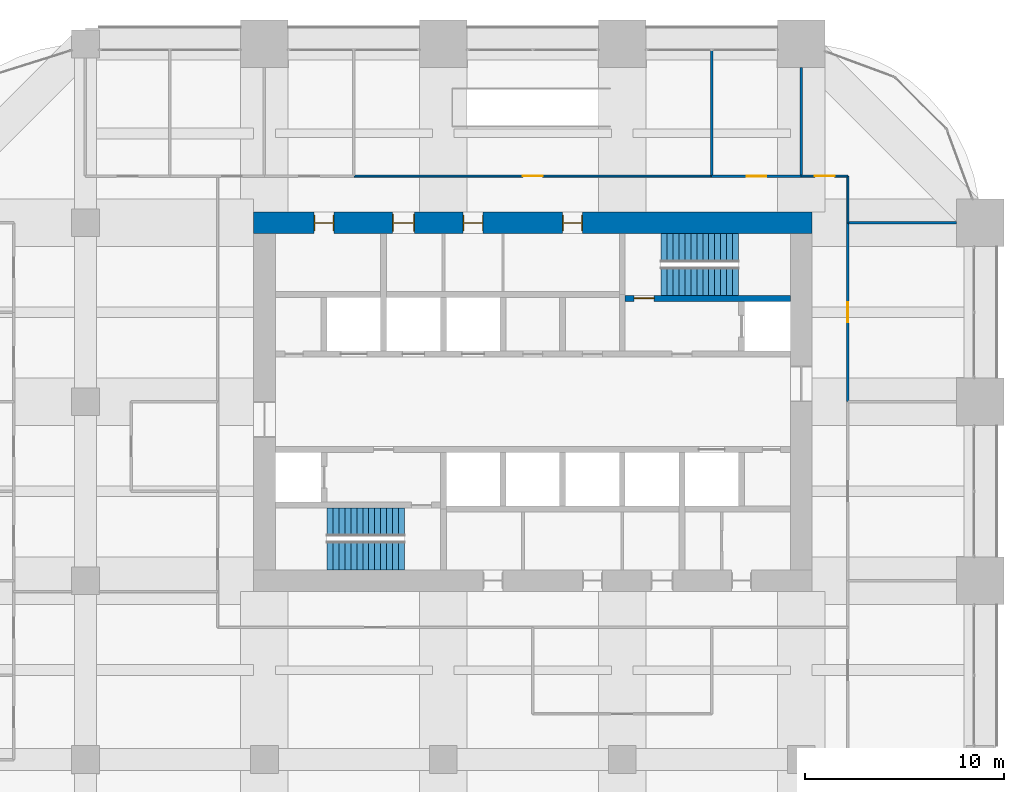
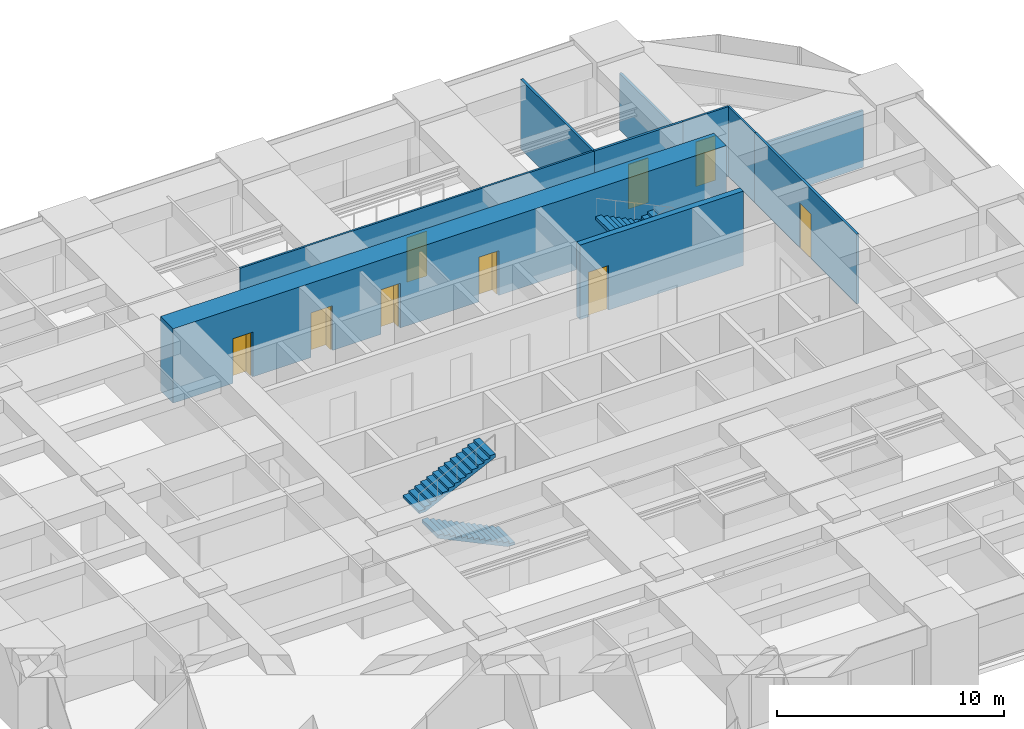
# One storey, part 33 of 35: 10 walls, 9 doors, 4 stair flights, 9 openings, 2 elements without a shape of their own.
"""IFC4 building model written with IfcOpenShell, lengths in metres."""

from ifc_helpers import new_model, si_unit, direction, frame, frame_2d, origin, place, context, subcontext, project, spatial, polyline, rectangle, outline, extrude, material, layer, layer_set, type_object, element, fill, aggregate, save


model = new_model("IFC4")

# Units and contexts
model_context = context("Model", 3, precision=1e-05, world=origin(), true_north=direction((0.0, 1.0)))
body_context = subcontext(model_context, "Body", "Model", "MODEL_VIEW")
ifc_project = project(units=[si_unit("LENGTHUNIT", "METRE"), si_unit("AREAUNIT", "SQUARE_METRE"), si_unit("VOLUMEUNIT", "CUBIC_METRE"), si_unit("PLANEANGLEUNIT", "RADIAN"), si_unit("MASSUNIT", "GRAM", prefix="KILO")], contexts=[model_context])

# Site, building, storey
site_placement = place(None, origin())
site = spatial("IfcSite", under=ifc_project, at=site_placement, CompositionType="ELEMENT")
building_placement = place(site_placement, origin())
building = spatial("IfcBuilding", under=site, at=building_placement, Name="Zorevar Civic Tower", CompositionType="ELEMENT")
storey_placement = place(building_placement, frame((0.0, 0.0, 218.199951171875)))
storey = spatial("IfcBuildingStorey", under=building, at=storey_placement, Name="L53", CompositionType="ELEMENT", Elevation=218.199951171875)

# Wall, openings, doors
ifc_material_1 = material(Name="Concrete C50/60", Category="concrete")
ifc_layer_1 = layer(ifc_material_1, 1.10009765625)
ifc_layer_set_1 = layer_set([ifc_layer_1], Name="Core wall 1100")
wall_type_1 = type_object("IfcWallType", Name="Core wall 1100", PredefinedType="SHEAR", material=ifc_layer_set_1)
wall_1_placement = place(storey_placement, frame((45.550048828125, 36.0, 0.0), z_axis=(0.0, 0.0, 1.0), x_axis=(-1.0, 0.0, 0.0)))
wall_1 = element("IfcWall", 1, at=wall_1_placement, inside=storey, type_object=wall_type_1, Name="Core wall N L53", PredefinedType="SHEAR", context=body_context, shape_type="SweptSolid", body=[
    extrude(rectangle(XDim=28.10009765625, YDim=1.10009765625, at=frame_2d((14.050048828125, 0.0))), origin(), (0.0, 0.0, 1.0), 4.0),
])
opening_1_placement = place(wall_1_placement, frame((11.550048828125, 0.0, 0.0)))
opening_1 = element("IfcOpeningElement", 2, at=opening_1_placement, cuts=wall_1, Name="Opening L53.07", PredefinedType="OPENING", context=body_context, shape_type="SweptSolid", body=[
    extrude(rectangle(XDim=1.0, YDim=2.39990234375, at=frame_2d((0.5, 1.199951171875))), frame((0.0, 0.56005859375, 0.0), z_axis=(0.0, -1.0, 0.0), x_axis=(1.0, 0.0, 0.0)), (0.0, 0.0, 1.0), 1.1201171875),
])
opening_2_placement = place(wall_1_placement, frame((16.550048828125, 0.0, 0.0)))
opening_2 = element("IfcOpeningElement", 3, at=opening_2_placement, cuts=wall_1, Name="Opening L53.08", PredefinedType="OPENING", context=body_context, shape_type="SweptSolid", body=[
    extrude(rectangle(XDim=1.0, YDim=2.39990234375, at=frame_2d((0.5, 1.199951171875))), frame((0.0, 0.56005859375, 0.0), z_axis=(0.0, -1.0, 0.0), x_axis=(1.0, 0.0, 0.0)), (0.0, 0.0, 1.0), 1.1201171875),
])
opening_3_placement = place(wall_1_placement, frame((20.0, 0.0, 0.0)))
opening_3 = element("IfcOpeningElement", 4, at=opening_3_placement, cuts=wall_1, Name="Opening L53.09", PredefinedType="OPENING", context=body_context, shape_type="SweptSolid", body=[
    extrude(rectangle(XDim=1.10009765625, YDim=2.39990234375, at=frame_2d((0.550048828125, 1.199951171875))), frame((0.0, 0.56005859375, 0.0), z_axis=(0.0, -1.0, 0.0), x_axis=(1.0, 0.0, 0.0)), (0.0, 0.0, 1.0), 1.1201171875),
])
opening_4_placement = place(wall_1_placement, frame((24.050048828125, 0.0, 0.0)))
opening_4 = element("IfcOpeningElement", 5, at=opening_4_placement, cuts=wall_1, Name="Opening L53.10", PredefinedType="OPENING", context=body_context, shape_type="SweptSolid", body=[
    extrude(rectangle(XDim=1.0, YDim=2.39990234375, at=frame_2d((0.5, 1.199951171875))), frame((0.0, 0.56005859375, 0.0), z_axis=(0.0, -1.0, 0.0), x_axis=(1.0, 0.0, 0.0)), (0.0, 0.0, 1.0), 1.1201171875),
])
ifc_material_2 = material(Name="Timber door set", Category="wood")
door_type_1 = type_object("IfcDoorType", Name="Door D1 1000x2400", OperationType="SINGLE_SWING_LEFT", PredefinedType="DOOR", material=ifc_material_2)
door_1_placement = place(opening_1_placement, origin())
door_1 = element("IfcDoor", 6, at=door_1_placement, inside=storey, type_object=door_type_1, Name="Door L53 06", OperationType="SINGLE_SWING_RIGHT", OverallHeight=2.39990234375, OverallWidth=1.0, PredefinedType="DOOR", context=body_context, shape_type="SweptSolid", body=[
    extrude(rectangle(XDim=1.0, YDim=2.39990234375, at=frame_2d((0.5, 1.199951171875))), frame((0.0, 0.02490234375, 0.0), z_axis=(0.0, -1.0, 0.0), x_axis=(1.0, 0.0, 0.0)), (0.0, 0.0, 1.0), 0.050048828125),
    extrude(rectangle(XDim=0.04, YDim=2.39990234375, at=frame_2d((0.02001953125, 1.199951171875))), frame((0.0, 0.39990234375, 0.0), z_axis=(0.0, -1.0, 0.0), x_axis=(1.0, 0.0, 0.0)), (0.0, 0.0, 1.0), 0.800048828125),
    extrude(rectangle(XDim=0.04, YDim=2.39990234375, at=frame_2d((0.97998046875, 1.199951171875))), frame((0.0, 0.39990234375, 0.0), z_axis=(0.0, -1.0, 0.0), x_axis=(1.0, 0.0, 0.0)), (0.0, 0.0, 1.0), 0.800048828125),
    extrude(rectangle(XDim=1.0, YDim=0.04, at=frame_2d((0.5, 2.3798828125))), frame((0.0, 0.39990234375, 0.0), z_axis=(0.0, -1.0, 0.0), x_axis=(1.0, 0.0, 0.0)), (0.0, 0.0, 1.0), 0.800048828125),
])
fill(opening_1, door_1)
door_2_placement = place(opening_2_placement, origin())
door_2 = element("IfcDoor", 7, at=door_2_placement, inside=storey, type_object=door_type_1, Name="Door L53 07", OperationType="SINGLE_SWING_LEFT", OverallHeight=2.39990234375, OverallWidth=1.0, PredefinedType="DOOR", context=body_context, shape_type="SweptSolid", body=[
    extrude(rectangle(XDim=1.0, YDim=2.39990234375, at=frame_2d((0.5, 1.199951171875))), frame((0.0, 0.02490234375, 0.0), z_axis=(0.0, -1.0, 0.0), x_axis=(1.0, 0.0, 0.0)), (0.0, 0.0, 1.0), 0.050048828125),
    extrude(rectangle(XDim=0.04, YDim=2.39990234375, at=frame_2d((0.02001953125, 1.199951171875))), frame((0.0, 0.39990234375, 0.0), z_axis=(0.0, -1.0, 0.0), x_axis=(1.0, 0.0, 0.0)), (0.0, 0.0, 1.0), 0.800048828125),
    extrude(rectangle(XDim=0.04, YDim=2.39990234375, at=frame_2d((0.97998046875, 1.199951171875))), frame((0.0, 0.39990234375, 0.0), z_axis=(0.0, -1.0, 0.0), x_axis=(1.0, 0.0, 0.0)), (0.0, 0.0, 1.0), 0.800048828125),
    extrude(rectangle(XDim=1.0, YDim=0.04, at=frame_2d((0.5, 2.3798828125))), frame((0.0, 0.39990234375, 0.0), z_axis=(0.0, -1.0, 0.0), x_axis=(1.0, 0.0, 0.0)), (0.0, 0.0, 1.0), 0.800048828125),
])
fill(opening_2, door_2)
door_3_placement = place(opening_4_placement, origin())
door_3 = element("IfcDoor", 8, at=door_3_placement, inside=storey, type_object=door_type_1, Name="Door L53 09", OperationType="SINGLE_SWING_LEFT", OverallHeight=2.39990234375, OverallWidth=1.0, PredefinedType="DOOR", context=body_context, shape_type="SweptSolid", body=[
    extrude(rectangle(XDim=1.0, YDim=2.39990234375, at=frame_2d((0.5, 1.199951171875))), frame((0.0, 0.02490234375, 0.0), z_axis=(0.0, -1.0, 0.0), x_axis=(1.0, 0.0, 0.0)), (0.0, 0.0, 1.0), 0.050048828125),
    extrude(rectangle(XDim=0.04, YDim=2.39990234375, at=frame_2d((0.02001953125, 1.199951171875))), frame((0.0, 0.39990234375, 0.0), z_axis=(0.0, -1.0, 0.0), x_axis=(1.0, 0.0, 0.0)), (0.0, 0.0, 1.0), 0.800048828125),
    extrude(rectangle(XDim=0.04, YDim=2.39990234375, at=frame_2d((0.97998046875, 1.199951171875))), frame((0.0, 0.39990234375, 0.0), z_axis=(0.0, -1.0, 0.0), x_axis=(1.0, 0.0, 0.0)), (0.0, 0.0, 1.0), 0.800048828125),
    extrude(rectangle(XDim=1.0, YDim=0.04, at=frame_2d((0.5, 2.3798828125))), frame((0.0, 0.39990234375, 0.0), z_axis=(0.0, -1.0, 0.0), x_axis=(1.0, 0.0, 0.0)), (0.0, 0.0, 1.0), 0.800048828125),
])
fill(opening_4, door_3)
ifc_material_3 = material(Name="Timber door set", Category="wood")
door_type_2 = type_object("IfcDoorType", Name="Door D5 1100x2400", OperationType="SINGLE_SWING_LEFT", PredefinedType="DOOR", material=ifc_material_3)
door_4_placement = place(opening_3_placement, origin())
door_4 = element("IfcDoor", 9, at=door_4_placement, inside=storey, type_object=door_type_2, Name="Door L53 08", OperationType="SINGLE_SWING_LEFT", OverallHeight=2.39990234375, OverallWidth=1.10009765625, PredefinedType="DOOR", context=body_context, shape_type="SweptSolid", body=[
    extrude(rectangle(XDim=1.10009765625, YDim=2.39990234375, at=frame_2d((0.550048828125, 1.199951171875))), frame((0.0, 0.02490234375, 0.0), z_axis=(0.0, -1.0, 0.0), x_axis=(1.0, 0.0, 0.0)), (0.0, 0.0, 1.0), 0.050048828125),
    extrude(rectangle(XDim=0.04, YDim=2.39990234375, at=frame_2d((0.02001953125, 1.199951171875))), frame((0.0, 0.43994140625, 0.0), z_axis=(0.0, -1.0, 0.0), x_axis=(1.0, 0.0, 0.0)), (0.0, 0.0, 1.0), 0.880126953125),
    extrude(rectangle(XDim=0.04, YDim=2.39990234375, at=frame_2d((1.080078125, 1.199951171875))), frame((0.0, 0.43994140625, 0.0), z_axis=(0.0, -1.0, 0.0), x_axis=(1.0, 0.0, 0.0)), (0.0, 0.0, 1.0), 0.880126953125),
    extrude(rectangle(XDim=1.10009765625, YDim=0.04, at=frame_2d((0.550048828125, 2.3798828125))), frame((0.0, 0.43994140625, 0.0), z_axis=(0.0, -1.0, 0.0), x_axis=(1.0, 0.0, 0.0)), (0.0, 0.0, 1.0), 0.880126953125),
])
fill(opening_3, door_4)

# Wall, opening, door
ifc_material_4 = material(Name="Laminated glass in black aluminium frame", Category="aluminium")
ifc_layer_2 = layer(ifc_material_4, 0.10009765625)
ifc_layer_set_2 = layer_set([ifc_layer_2], Name="Glazed partition 100")
wall_type_2 = type_object("IfcWallType", Name="Glazed partition 100", PredefinedType="PARTITIONING", material=ifc_layer_set_2)
wall_2_placement = place(storey_placement, frame((22.5, 38.35009765625, 0.0), z_axis=(0.0, 0.0, 1.0), x_axis=(1.0, 0.0, 0.0)))
wall_2 = element("IfcWall", 10, at=wall_2_placement, inside=storey, type_object=wall_type_2, Name="Glazed partition 100 L53", PredefinedType="PARTITIONING", context=body_context, shape_type="SweptSolid", body=[
    extrude(rectangle(XDim=18.0, YDim=0.10009765625, at=frame_2d((9.0, 0.0))), origin(), (0.0, 0.0, 1.0), 3.75),
])
opening_5_placement = place(wall_2_placement, frame((8.5, 0.0, 0.0)))
opening_5 = element("IfcOpeningElement", 11, at=opening_5_placement, cuts=wall_2, Name="Opening L53.30", PredefinedType="OPENING", context=body_context, shape_type="SweptSolid", body=[
    extrude(rectangle(XDim=1.0, YDim=2.39990234375, at=frame_2d((0.5, 1.199951171875))), frame((0.0, 0.06005859375, 0.0), z_axis=(0.0, -1.0, 0.0), x_axis=(1.0, 0.0, 0.0)), (0.0, 0.0, 1.0), 0.1201171875),
])
ifc_material_5 = material(Name="Timber door set", Category="wood")
door_type_3 = type_object("IfcDoorType", Name="Glazed door GD1 1000x2400", OperationType="SINGLE_SWING_LEFT", PredefinedType="DOOR", material=ifc_material_5)
door_5_placement = place(opening_5_placement, origin())
door_5 = element("IfcDoor", 12, at=door_5_placement, inside=storey, type_object=door_type_3, Name="Door L53 D1", OperationType="SINGLE_SWING_RIGHT", OverallHeight=2.39990234375, OverallWidth=1.0, PredefinedType="DOOR", context=body_context, shape_type="SweptSolid", body=[
    extrude(rectangle(XDim=1.0, YDim=2.39990234375, at=frame_2d((0.5, 1.199951171875))), frame((0.0, 0.02001953125, 0.0), z_axis=(0.0, -1.0, 0.0), x_axis=(1.0, 0.0, 0.0)), (0.0, 0.0, 1.0), 0.0400390625),
])
fill(opening_5, door_5)

wall_3_placement = place(storey_placement, frame((45.0, 38.35009765625, 0.0), z_axis=(0.0, 0.0, 1.0), x_axis=(1.0, 0.0, 0.0)))
wall_3 = element("IfcWall", 13, at=wall_3_placement, inside=storey, type_object=wall_type_2, Name="Glazed partition 100 L53", PredefinedType="PARTITIONING", context=body_context, shape_type="SweptSolid", body=[
    extrude(rectangle(XDim=2.35009765625, YDim=0.10009765625, at=frame_2d((1.175048828125, 0.0))), origin(), (0.0, 0.0, 1.0), 3.75),
])
opening_6_placement = place(wall_3_placement, frame((0.675048828125, 0.0, 0.0)))
opening_6 = element("IfcOpeningElement", 14, at=opening_6_placement, cuts=wall_3, Name="Opening L53.31", PredefinedType="OPENING", context=body_context, shape_type="SweptSolid", body=[
    extrude(rectangle(XDim=1.0, YDim=2.39990234375, at=frame_2d((0.5, 1.199951171875))), frame((0.0, 0.06005859375, 0.0), z_axis=(0.0, -1.0, 0.0), x_axis=(1.0, 0.0, 0.0)), (0.0, 0.0, 1.0), 0.1201171875),
])
door_6_placement = place(opening_6_placement, origin())
door_6 = element("IfcDoor", 15, at=door_6_placement, inside=storey, type_object=door_type_3, Name="Door L53 D1", OperationType="SINGLE_SWING_RIGHT", OverallHeight=2.39990234375, OverallWidth=1.0, PredefinedType="DOOR", context=body_context, shape_type="SweptSolid", body=[
    extrude(rectangle(XDim=1.0, YDim=2.39990234375, at=frame_2d((0.5, 1.199951171875))), frame((0.0, 0.02001953125, 0.0), z_axis=(0.0, -1.0, 0.0), x_axis=(1.0, 0.0, 0.0)), (0.0, 0.0, 1.0), 0.0400390625),
])
fill(opening_6, door_6)

# Wall
wall_4_placement = place(storey_placement, frame((47.35009765625, 36.0, 0.0), z_axis=(0.0, 0.0, 1.0), x_axis=(0.0, 1.0, 0.0)))
element("IfcWall", 16, at=wall_4_placement, inside=storey, type_object=wall_type_2, Name="Glazed partition 100 L53", PredefinedType="PARTITIONING", context=body_context, shape_type="SweptSolid", body=[
    extrude(rectangle(XDim=2.35009765625, YDim=0.10009765625, at=frame_2d((1.175048828125, 0.0))), origin(), (0.0, 0.0, 1.0), 3.75),
])

# Wall, opening, door
ifc_material_6 = material(Name="Concrete C40/50", Category="concrete")
ifc_layer_3 = layer(ifc_material_6, 0.300048828125)
ifc_layer_set_3 = layer_set([ifc_layer_3], Name="Inner core wall 300")
wall_type_3 = type_object("IfcWallType", Name="Inner core wall 300", PredefinedType="SHEAR", material=ifc_layer_set_3)
wall_5_placement = place(storey_placement, frame((36.14990234375, 32.199951171875, 0.0), z_axis=(0.0, 0.0, 1.0), x_axis=(1.0, 0.0, 0.0)))
wall_5 = element("IfcWall", 17, at=wall_5_placement, inside=storey, type_object=wall_type_3, Name="Inner core wall N00 L53", PredefinedType="SHEAR", context=body_context, shape_type="SweptSolid", body=[
    extrude(rectangle(XDim=8.300048828125, YDim=0.300048828125, at=frame_2d((4.14990234375, 0.0))), origin(), (0.0, 0.0, 1.0), 4.0),
])
opening_7_placement = place(wall_5_placement, frame((0.449951171875, 0.0, 0.0)))
opening_7 = element("IfcOpeningElement", 18, at=opening_7_placement, cuts=wall_5, Name="Opening L53.12", PredefinedType="OPENING", context=body_context, shape_type="SweptSolid", body=[
    extrude(rectangle(XDim=1.0, YDim=2.39990234375, at=frame_2d((0.5, 1.199951171875))), frame((0.0, 0.159912109375, 0.0), z_axis=(0.0, -1.0, 0.0), x_axis=(1.0, 0.0, 0.0)), (0.0, 0.0, 1.0), 0.320068359375),
])
ifc_material_7 = material(Name="Steel door set", Category="steel")
door_type_4 = type_object("IfcDoorType", Name="Fire door FD1 1000x2400", OperationType="SINGLE_SWING_LEFT", PredefinedType="DOOR", material=ifc_material_7)
door_7_placement = place(opening_7_placement, origin())
door_7 = element("IfcDoor", 19, at=door_7_placement, inside=storey, type_object=door_type_4, Name="Door L53 11", OperationType="SINGLE_SWING_RIGHT", OverallHeight=2.39990234375, OverallWidth=1.0, PredefinedType="DOOR", context=body_context, shape_type="SweptSolid", body=[
    extrude(rectangle(XDim=1.0, YDim=2.39990234375, at=frame_2d((0.5, 1.199951171875))), frame((0.0, 0.030029296875, 0.0), z_axis=(0.0, -1.0, 0.0), x_axis=(1.0, 0.0, 0.0)), (0.0, 0.0, 1.0), 0.06005859375),
])
fill(opening_7, door_7)

# Wall
ifc_material_8 = material(Name="Gypsum board on steel studs", Category="steel")
ifc_layer_4 = layer(ifc_material_8, 0.1201171875)
ifc_layer_set_4 = layer_set([ifc_layer_4], Name="Partition 120")
wall_type_4 = type_object("IfcWallType", Name="Partition 120", PredefinedType="PARTITIONING", material=ifc_layer_set_4)
wall_6_placement = place(storey_placement, frame((47.35009765625, 36.0, 0.0), z_axis=(0.0, 0.0, 1.0), x_axis=(1.0, 0.0, 0.0)))
element("IfcWall", 20, at=wall_6_placement, inside=storey, type_object=wall_type_4, Name="Partition 120 L53", PredefinedType="PARTITIONING", context=body_context, shape_type="SweptSolid", body=[
    extrude(rectangle(XDim=5.449951171875, YDim=0.1201171875, at=frame_2d((2.72509765625, 0.0))), origin(), (0.0, 0.0, 1.0), 3.050048828125),
])

# Wall, opening, door
wall_7_placement = place(storey_placement, frame((40.5, 38.35009765625, 0.0), z_axis=(0.0, 0.0, 1.0), x_axis=(1.0, 0.0, 0.0)))
wall_7 = element("IfcWall", 21, at=wall_7_placement, inside=storey, type_object=wall_type_4, Name="Partition 120 L53", PredefinedType="PARTITIONING", context=body_context, shape_type="SweptSolid", body=[
    extrude(rectangle(XDim=4.5, YDim=0.1201171875, at=frame_2d((2.25, 0.0))), origin(), (0.0, 0.0, 1.0), 3.75),
])
opening_8_placement = place(wall_7_placement, frame((1.75, 0.0, 0.0)))
opening_8 = element("IfcOpeningElement", 22, at=opening_8_placement, cuts=wall_7, Name="Opening L53.29", PredefinedType="OPENING", context=body_context, shape_type="SweptSolid", body=[
    extrude(rectangle(XDim=1.0, YDim=2.39990234375, at=frame_2d((0.5, 1.199951171875))), frame((0.0, 0.070068359375, 0.0), z_axis=(0.0, -1.0, 0.0), x_axis=(1.0, 0.0, 0.0)), (0.0, 0.0, 1.0), 0.14013671875),
])
door_8_placement = place(opening_8_placement, origin())
door_8 = element("IfcDoor", 23, at=door_8_placement, inside=storey, type_object=door_type_1, Name="Door L53 D1", OperationType="SINGLE_SWING_LEFT", OverallHeight=2.39990234375, OverallWidth=1.0, PredefinedType="DOOR", context=body_context, shape_type="SweptSolid", body=[
    extrude(rectangle(XDim=1.0, YDim=2.39990234375, at=frame_2d((0.5, 1.199951171875))), frame((0.0, 0.02490234375, 0.0), z_axis=(0.0, -1.0, 0.0), x_axis=(1.0, 0.0, 0.0)), (0.0, 0.0, 1.0), 0.050048828125),
])
fill(opening_8, door_8)

# Walls
wall_8_placement = place(storey_placement, frame((40.5, 38.35009765625, 0.0), z_axis=(0.0, 0.0, 1.0), x_axis=(0.0, 1.0, 0.0)))
element("IfcWall", 24, at=wall_8_placement, inside=storey, type_object=wall_type_4, Name="Partition 120 L53", PredefinedType="PARTITIONING", context=body_context, shape_type="SweptSolid", body=[
    extrude(rectangle(XDim=6.33984375, YDim=0.1201171875, at=frame_2d((3.169921875, 0.0))), origin(), (0.0, 0.0, 1.0), 3.75),
])
wall_9_placement = place(storey_placement, frame((45.0, 38.35009765625, 0.0), z_axis=(0.0, 0.0, 1.0), x_axis=(0.0, 1.0, 0.0)))
element("IfcWall", 25, at=wall_9_placement, inside=storey, type_object=wall_type_4, Name="Partition 120 L53", PredefinedType="PARTITIONING", context=body_context, shape_type="SweptSolid", body=[
    extrude(rectangle(XDim=5.449951171875, YDim=0.1201171875, at=frame_2d((2.72509765625, 0.0))), origin(), (0.0, 0.0, 1.0), 3.050048828125),
])

# Wall, opening, door
wall_10_placement = place(storey_placement, frame((47.35009765625, 27.0, 0.0), z_axis=(0.0, 0.0, 1.0), x_axis=(0.0, 1.0, 0.0)))
wall_10 = element("IfcWall", 26, at=wall_10_placement, inside=storey, type_object=wall_type_4, Name="Partition 120 L53", PredefinedType="PARTITIONING", context=body_context, shape_type="SweptSolid", body=[
    extrude(rectangle(XDim=9.0, YDim=0.1201171875, at=frame_2d((4.5, 0.0))), origin(), (0.0, 0.0, 1.0), 3.75),
])
opening_9_placement = place(wall_10_placement, frame((4.0, 0.0, 0.0)))
opening_9 = element("IfcOpeningElement", 27, at=opening_9_placement, cuts=wall_10, Name="Opening L53.42", PredefinedType="OPENING", context=body_context, shape_type="SweptSolid", body=[
    extrude(rectangle(XDim=1.0, YDim=2.39990234375, at=frame_2d((0.5, 1.199951171875))), frame((0.0, 0.070068359375, 0.0), z_axis=(0.0, -1.0, 0.0), x_axis=(1.0, 0.0, 0.0)), (0.0, 0.0, 1.0), 0.14013671875),
])
door_9_placement = place(opening_9_placement, origin())
door_9 = element("IfcDoor", 28, at=door_9_placement, inside=storey, type_object=door_type_1, Name="Door L53 D1", OperationType="SINGLE_SWING_LEFT", OverallHeight=2.39990234375, OverallWidth=1.0, PredefinedType="DOOR", context=body_context, shape_type="SweptSolid", body=[
    extrude(rectangle(XDim=1.0, YDim=2.39990234375, at=frame_2d((0.5, 1.199951171875))), frame((0.0, 0.02490234375, 0.0), z_axis=(0.0, -1.0, 0.0), x_axis=(1.0, 0.0, 0.0)), (0.0, 0.0, 1.0), 0.050048828125),
])
fill(opening_9, door_9)

# Stair, stair flights
ifc_material_9 = material(Name="Precast concrete C40/50", Category="concrete")
stair_type = type_object("IfcStairType", Name="Stair ST 28R", PredefinedType="HALF_TURN_STAIR", material=ifc_material_9)
stair_1_placement = place(storey_placement, origin())
stair_1 = element("IfcStair", 29, at=stair_1_placement, inside=storey, type_object=stair_type, Name="Stair ST1 L53", PredefinedType="HALF_TURN_STAIR")
ifc_material_10 = material(Name="Precast concrete C40/50", Category="concrete")
stair_flight_type = type_object("IfcStairFlightType", Name="Stair flight", PredefinedType="STRAIGHT", material=ifc_material_10)
stair_flight_1_placement = place(storey_placement, frame((25.050048828125, 19.262451171875, 0.0), z_axis=(0.0, 0.0, 1.0), x_axis=(-1.0, 0.0, 0.0)))
stair_flight_1 = element("IfcStairFlight", 30, at=stair_flight_1_placement, type_object=stair_flight_type, Name="ST1 flight 1", NumberOfRisers=14, NumberOfTreads=13, PredefinedType="STRAIGHT", RiserHeight=0.142857143, TreadLength=0.3, context=body_context, shape_type="SweptSolid", body=[
    extrude(outline(polyline([(0.0, 0.0), (0.0, 0.142822265625), (0.300048828125, 0.142822265625), (0.300048828125, 0.28564453125), (0.60009765625, 0.28564453125), (0.60009765625, 0.428466796875), (0.89990234375, 0.428466796875), (0.89990234375, 0.571533203125), (1.199951171875, 0.571533203125), (1.199951171875, 0.71435546875), (1.5, 0.71435546875), (1.5, 0.857177734375), (1.800048828125, 0.857177734375), (1.800048828125, 1.0), (2.10009765625, 1.0), (2.10009765625, 1.142822265625), (2.39990234375, 1.142822265625), (2.39990234375, 1.28564453125), (2.699951171875, 1.28564453125), (2.699951171875, 1.428466796875), (3.0, 1.428466796875), (3.0, 1.571533203125), (3.300048828125, 1.571533203125), (3.300048828125, 1.71435546875), (3.60009765625, 1.71435546875), (3.60009765625, 1.857177734375), (3.89990234375, 1.857177734375), (3.89990234375, 2.0), (3.89990234375, 1.691162109375), (0.3486328125, 0.0), (0.0, 0.0)])), frame((0.0, 0.71240234375, 0.0), z_axis=(0.0, -1.0, 0.0), x_axis=(1.0, 0.0, 0.0)), (0.0, 0.0, 1.0), 1.425048828125),
])
stair_flight_2_placement = place(storey_placement, frame((21.14990234375, 20.9375, 2.0), z_axis=(0.0, 0.0, 1.0), x_axis=(1.0, 0.0, 0.0)))
stair_flight_2 = element("IfcStairFlight", 31, at=stair_flight_2_placement, type_object=stair_flight_type, Name="ST1 flight 2", NumberOfRisers=14, NumberOfTreads=13, PredefinedType="STRAIGHT", RiserHeight=0.142857143, TreadLength=0.3, context=body_context, shape_type="SweptSolid", body=[
    extrude(outline(polyline([(0.0, 0.0), (0.0, 0.142822265625), (0.300048828125, 0.142822265625), (0.300048828125, 0.28564453125), (0.60009765625, 0.28564453125), (0.60009765625, 0.428466796875), (0.89990234375, 0.428466796875), (0.89990234375, 0.571533203125), (1.199951171875, 0.571533203125), (1.199951171875, 0.71435546875), (1.5, 0.71435546875), (1.5, 0.857177734375), (1.800048828125, 0.857177734375), (1.800048828125, 1.0), (2.10009765625, 1.0), (2.10009765625, 1.142822265625), (2.39990234375, 1.142822265625), (2.39990234375, 1.28564453125), (2.699951171875, 1.28564453125), (2.699951171875, 1.428466796875), (3.0, 1.428466796875), (3.0, 1.571533203125), (3.300048828125, 1.571533203125), (3.300048828125, 1.71435546875), (3.60009765625, 1.71435546875), (3.60009765625, 1.857177734375), (3.89990234375, 1.857177734375), (3.89990234375, 2.0), (3.89990234375, 1.691162109375), (0.3486328125, 0.0), (0.0, 0.0)])), frame((0.0, 0.71240234375, 0.0), z_axis=(0.0, -1.0, 0.0), x_axis=(1.0, 0.0, 0.0)), (0.0, 0.0, 1.0), 1.425048828125),
])
aggregate(stair_1, [stair_flight_1, stair_flight_2])

stair_2_placement = place(storey_placement, origin())
stair_2 = element("IfcStair", 32, at=stair_2_placement, inside=storey, type_object=stair_type, Name="Stair ST2 L53", PredefinedType="HALF_TURN_STAIR")
stair_flight_3_placement = place(storey_placement, frame((37.949951171875, 34.737548828125, 0.0), z_axis=(0.0, 0.0, 1.0), x_axis=(1.0, 0.0, 0.0)))
stair_flight_3 = element("IfcStairFlight", 33, at=stair_flight_3_placement, type_object=stair_flight_type, Name="ST2 flight 1", NumberOfRisers=14, NumberOfTreads=13, PredefinedType="STRAIGHT", RiserHeight=0.142857143, TreadLength=0.3, context=body_context, shape_type="SweptSolid", body=[
    extrude(outline(polyline([(0.0, 0.0), (0.0, 0.142822265625), (0.300048828125, 0.142822265625), (0.300048828125, 0.28564453125), (0.60009765625, 0.28564453125), (0.60009765625, 0.428466796875), (0.89990234375, 0.428466796875), (0.89990234375, 0.571533203125), (1.199951171875, 0.571533203125), (1.199951171875, 0.71435546875), (1.5, 0.71435546875), (1.5, 0.857177734375), (1.800048828125, 0.857177734375), (1.800048828125, 1.0), (2.10009765625, 1.0), (2.10009765625, 1.142822265625), (2.39990234375, 1.142822265625), (2.39990234375, 1.28564453125), (2.699951171875, 1.28564453125), (2.699951171875, 1.428466796875), (3.0, 1.428466796875), (3.0, 1.571533203125), (3.300048828125, 1.571533203125), (3.300048828125, 1.71435546875), (3.60009765625, 1.71435546875), (3.60009765625, 1.857177734375), (3.89990234375, 1.857177734375), (3.89990234375, 2.0), (3.89990234375, 1.691162109375), (0.3486328125, 0.0), (0.0, 0.0)])), frame((0.0, 0.71240234375, 0.0), z_axis=(0.0, -1.0, 0.0), x_axis=(1.0, 0.0, 0.0)), (0.0, 0.0, 1.0), 1.425048828125),
])
stair_flight_4_placement = place(storey_placement, frame((41.85009765625, 33.0625, 2.0), z_axis=(0.0, 0.0, 1.0), x_axis=(-1.0, 0.0, 0.0)))
stair_flight_4 = element("IfcStairFlight", 34, at=stair_flight_4_placement, type_object=stair_flight_type, Name="ST2 flight 2", NumberOfRisers=14, NumberOfTreads=13, PredefinedType="STRAIGHT", RiserHeight=0.142857143, TreadLength=0.3, context=body_context, shape_type="SweptSolid", body=[
    extrude(outline(polyline([(0.0, 0.0), (0.0, 0.142822265625), (0.300048828125, 0.142822265625), (0.300048828125, 0.28564453125), (0.60009765625, 0.28564453125), (0.60009765625, 0.428466796875), (0.89990234375, 0.428466796875), (0.89990234375, 0.571533203125), (1.199951171875, 0.571533203125), (1.199951171875, 0.71435546875), (1.5, 0.71435546875), (1.5, 0.857177734375), (1.800048828125, 0.857177734375), (1.800048828125, 1.0), (2.10009765625, 1.0), (2.10009765625, 1.142822265625), (2.39990234375, 1.142822265625), (2.39990234375, 1.28564453125), (2.699951171875, 1.28564453125), (2.699951171875, 1.428466796875), (3.0, 1.428466796875), (3.0, 1.571533203125), (3.300048828125, 1.571533203125), (3.300048828125, 1.71435546875), (3.60009765625, 1.71435546875), (3.60009765625, 1.857177734375), (3.89990234375, 1.857177734375), (3.89990234375, 2.0), (3.89990234375, 1.691162109375), (0.3486328125, 0.0), (0.0, 0.0)])), frame((0.0, 0.71240234375, 0.0), z_axis=(0.0, -1.0, 0.0), x_axis=(1.0, 0.0, 0.0)), (0.0, 0.0, 1.0), 1.425048828125),
])
aggregate(stair_2, [stair_flight_3, stair_flight_4])

save(model, "model.ifc")
